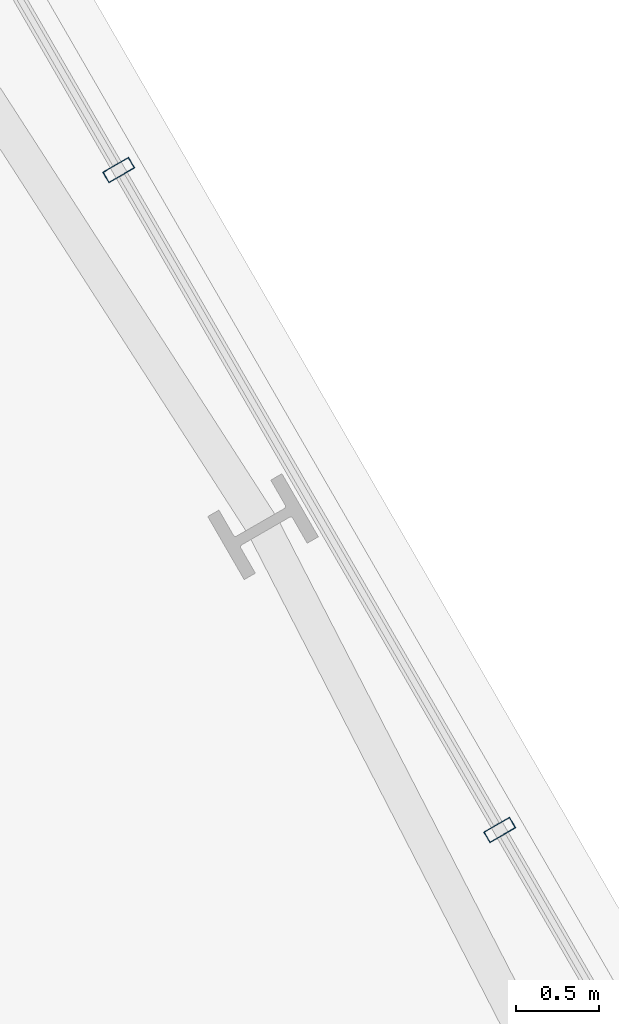
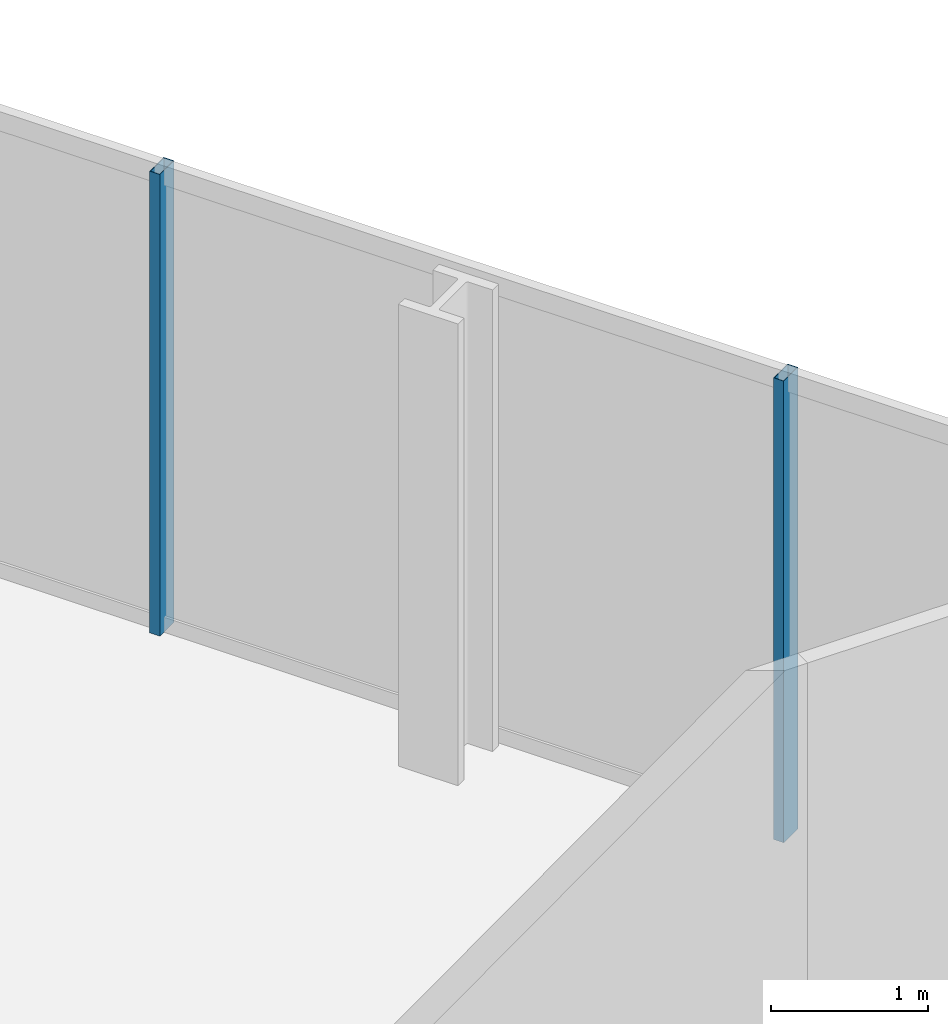
# One storey, part 21 of 32: 2 members, 1 element without a shape of its own.
"""IFC4 building model written with IfcOpenShell, lengths in metres."""

from ifc_helpers import new_model, si_unit, direction, frame, origin, origin_2d, place, context, subcontext, project, spatial, hollow_rectangle, extrude, material, layer, layer_set, material_profile, profile_set, type_object, element, aggregate, save


model = new_model("IFC4")

# Units and contexts
model_context = context("Model", 3, precision=1e-05, world=origin(), true_north=direction((0.0, 1.0)))
body_context = subcontext(model_context, "Body", "Model", "MODEL_VIEW")
ifc_project = project(units=[si_unit("LENGTHUNIT", "METRE"), si_unit("AREAUNIT", "SQUARE_METRE"), si_unit("VOLUMEUNIT", "CUBIC_METRE"), si_unit("PLANEANGLEUNIT", "RADIAN"), si_unit("MASSUNIT", "GRAM", prefix="KILO")], contexts=[model_context])

# Site, building, storey
site_placement = place(None, origin())
site = spatial("IfcSite", under=ifc_project, at=site_placement, CompositionType="ELEMENT")
building_placement = place(site_placement, origin())
building = spatial("IfcBuilding", under=site, at=building_placement, Name="Ndaravel Arena Tower", CompositionType="ELEMENT")
storey_placement = place(building_placement, frame((0.0, 0.0, 70.199951171875)))
storey = spatial("IfcBuildingStorey", under=building, at=storey_placement, Name="L15", CompositionType="ELEMENT", Elevation=70.199951171875)

# Curtain wall, members
ifc_material_1 = material(Name="Aluminium", Category="aluminium")
ifc_layer = layer(ifc_material_1, 0.179931640625)
ifc_layer_set = layer_set([ifc_layer], Name="Aluminium")
curtain_wall_type = type_object("IfcCurtainWallType", Name="CW-SYS-03", PredefinedType="NOTDEFINED", material=ifc_layer_set)
curtain_wall_placement = place(storey_placement, origin())
curtain_wall = element("IfcCurtainWall", 1, at=curtain_wall_placement, inside=storey, type_object=curtain_wall_type, Name="L15 Faceted Crystal Curtain Wall CW-L15-E03", PredefinedType="NOTDEFINED")
ifc_material_2 = material(Name="Aluminium", Category="aluminium")
ifc_material_profile = material_profile(ifc_material_2, hollow_rectangle(XDim=0.074951171875, YDim=0.179931640625, WallThickness=0.00390625, at=origin_2d()), Name="CW MULLION 75x180x4")
ifc_profile_set = profile_set([ifc_material_profile], Name="Aluminium")
member_type = type_object("IfcMemberType", Name="MEM-CW-MUL180", PredefinedType="MULLION", material=ifc_profile_set)
member_1_placement = place(storey_placement, frame((58.637939453125, 30.014892578125, 0.0), z_axis=(0.0, 0.0, 1.0), x_axis=(-0.5, 0.866025403784, 0.0)))
member_1 = element("IfcMember", 2, at=member_1_placement, type_object=member_type, Name="CW-L15-E03 Mullion 03", PredefinedType="MULLION", context=body_context, shape_type="SweptSolid", body=[
    extrude(hollow_rectangle(XDim=0.074951171875, YDim=0.179931640625, WallThickness=0.00390625, at=origin_2d()), origin(), (0.0, 0.0, 1.0), 3.580078125),
])
member_2_placement = place(storey_placement, frame((56.35009765625, 33.977783203125, 0.0), z_axis=(0.0, 0.0, 1.0), x_axis=(-0.5, 0.866025403784, 0.0)))
member_2 = element("IfcMember", 3, at=member_2_placement, type_object=member_type, Name="CW-L15-E03 Mullion 04", PredefinedType="MULLION", context=body_context, shape_type="SweptSolid", body=[
    extrude(hollow_rectangle(XDim=0.074951171875, YDim=0.179931640625, WallThickness=0.00390625, at=origin_2d()), origin(), (0.0, 0.0, 1.0), 3.580078125),
])
aggregate(curtain_wall, [member_1, member_2])

save(model, "model.ifc")
